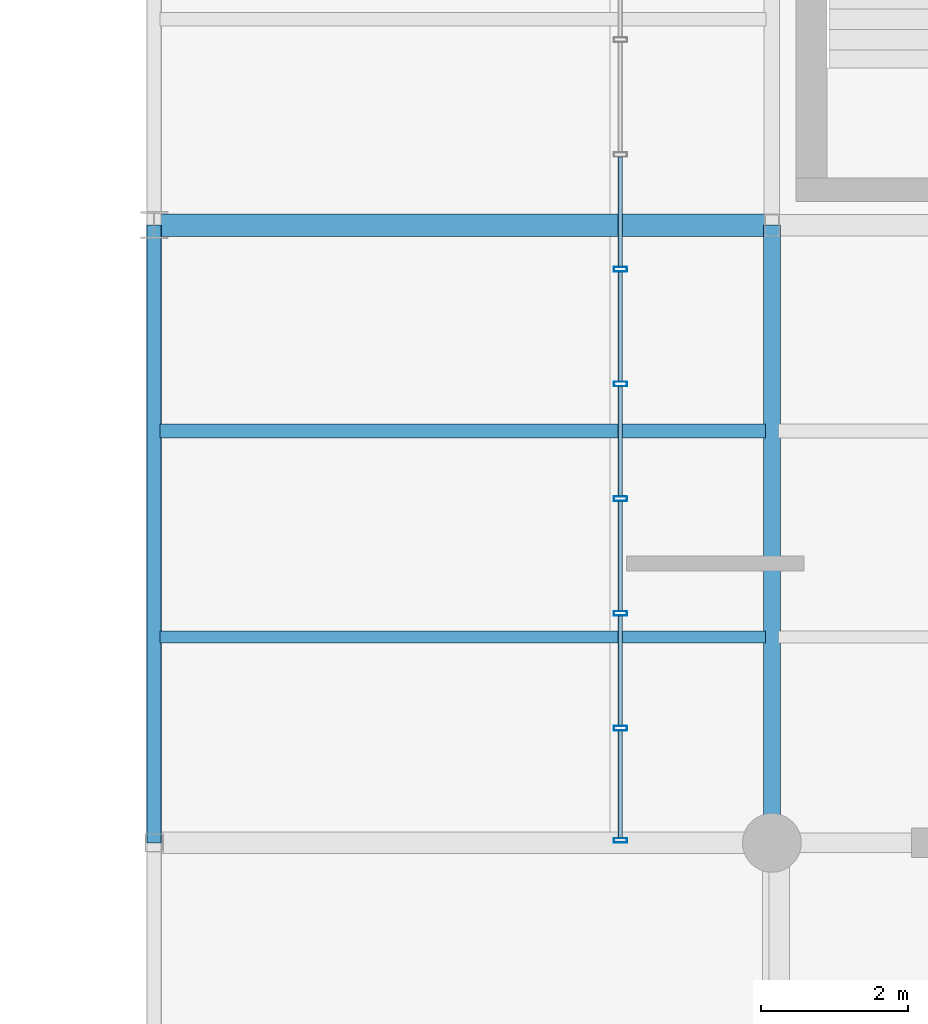
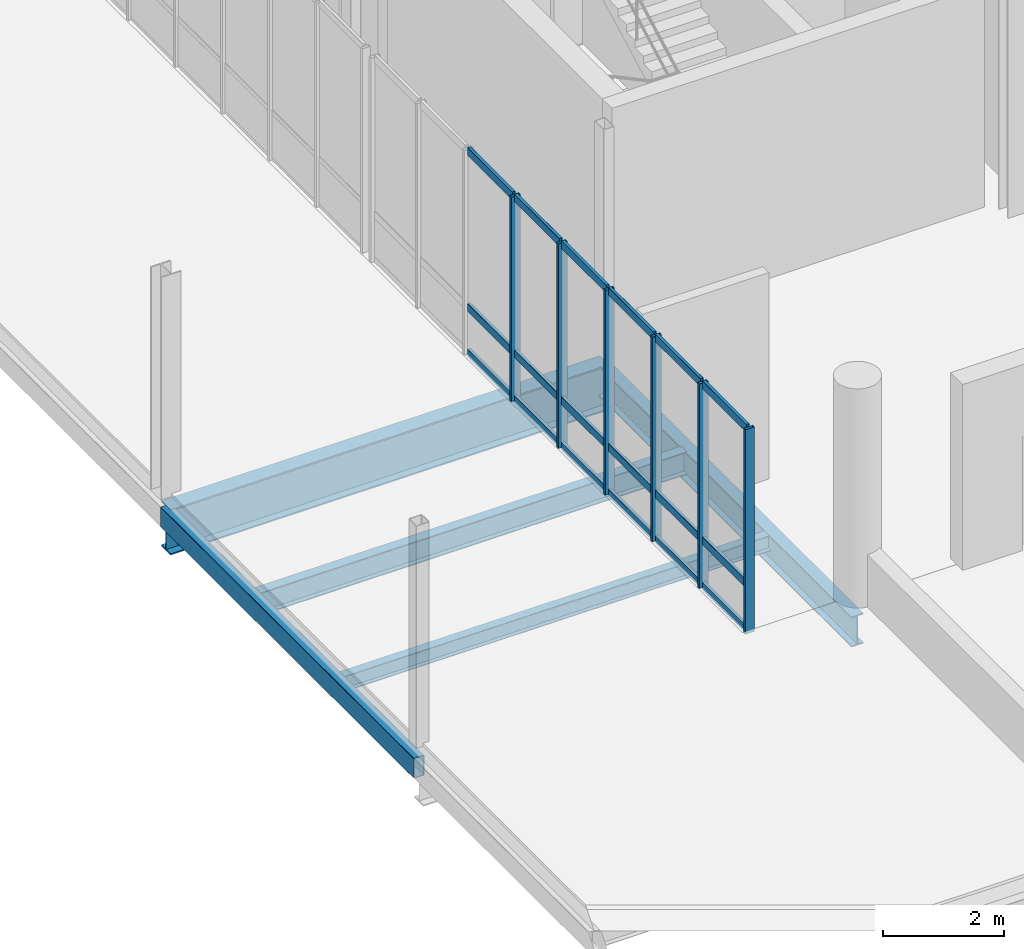
# One storey, part 37 of 68: 24 members, 5 beams, 1 element without a shape of its own.
"""IFC4 building model written with IfcOpenShell, lengths in metres."""

from ifc_helpers import new_model, si_unit, direction, frame, origin_with_axes, origin_2d_with_axis, place, context, subcontext, project, spatial, hollow_rectangle, i_section, extrude, material, material_profile, profile_set, type_object, element, aggregate, save


model = new_model("IFC4")

# Units and contexts
model_context = context("Model", 3, precision=1e-05, world=origin_with_axes(), true_north=direction((0.0, 1.0)))
body_context = subcontext(model_context, "Body", "Model", "MODEL_VIEW")
ifc_project = project(units=[si_unit("LENGTHUNIT", "METRE"), si_unit("AREAUNIT", "SQUARE_METRE"), si_unit("VOLUMEUNIT", "CUBIC_METRE"), si_unit("PLANEANGLEUNIT", "RADIAN"), si_unit("MASSUNIT", "GRAM", prefix="KILO"), si_unit("THERMODYNAMICTEMPERATUREUNIT", "KELVIN")], contexts=[model_context])

# Site, building, storey
site_placement = place(None, origin_with_axes())
site = spatial("IfcSite", under=ifc_project, at=site_placement, CompositionType="ELEMENT")
building_placement = place(site_placement, origin_with_axes())
building = spatial("IfcBuilding", under=site, at=building_placement, Name="Montbau Bow Law Courts", CompositionType="ELEMENT")
storey_placement = place(building_placement, frame((0.0, 0.0, 20.4), z_axis=(0.0, 0.0, 1.0), x_axis=(1.0, 0.0, 0.0)))
storey = spatial("IfcBuildingStorey", under=building, at=storey_placement, Name="L04", CompositionType="ELEMENT", Elevation=20.4)

# Beams
ifc_material_1 = material(Name="Steel CSA G40.21 Grade 350W (350 MPa)", Category="steel")
ifc_material_profile_1 = material_profile(ifc_material_1, i_section(OverallWidth=0.306, OverallDepth=0.919, WebThickness=0.0173, FlangeThickness=0.0279, at=origin_2d_with_axis()), Name="W920X253", Category="Main", Priority=0)
ifc_profile_set_1 = profile_set([ifc_material_profile_1], Name="Steel CSA G40.21 Grade 350W (350 MPa)")
beam_type_1 = type_object("IfcBeamType", Name="B-FLR-01", PredefinedType="BEAM", material=ifc_profile_set_1)
beam_1_placement = place(None, frame((138.6, 86.4, 19.651), z_axis=(1.0, 0.0, 0.0), x_axis=(0.0, 1.0, 0.0)))
element("IfcBeam", 1, at=beam_1_placement, inside=storey, type_object=beam_type_1, Name="BM-L04-S1253:bm2_1256", PredefinedType="BEAM", context=body_context, shape_type="SweptSolid", body=[
    extrude(i_section(OverallWidth=0.306, OverallDepth=0.919, WebThickness=0.0173, FlangeThickness=0.0279, at=origin_2d_with_axis()), origin_with_axes(), (0.0, 0.0, 1.0), 8.4),
])
ifc_material_profile_2 = material_profile(ifc_material_1, i_section(OverallWidth=0.229, OverallDepth=0.612, WebThickness=0.0119, FlangeThickness=0.0196, at=origin_2d_with_axis()), Name="W610X125", Category="Main", Priority=0)
ifc_profile_set_2 = profile_set([ifc_material_profile_2], Name="Steel CSA G40.21 Grade 350W (350 MPa)")
beam_type_2 = type_object("IfcBeamType", Name="B-FLR-05", PredefinedType="BEAM", material=ifc_profile_set_2)
beam_2_placement = place(None, frame((147.0, 78.0, 19.734), z_axis=(0.0, 1.0, 0.0), x_axis=(-1.0, 0.0, 0.0)))
element("IfcBeam", 2, at=beam_2_placement, inside=storey, type_object=beam_type_2, Name="BM-L04-S1270:bm2_1273", PredefinedType="BEAM", context=body_context, shape_type="SweptSolid", body=[
    extrude(i_section(OverallWidth=0.229, OverallDepth=0.612, WebThickness=0.0119, FlangeThickness=0.0196, at=origin_2d_with_axis()), origin_with_axes(), (0.0, 0.0, 1.0), 8.4),
])
ifc_material_profile_3 = material_profile(ifc_material_1, i_section(OverallWidth=0.191, OverallDepth=0.46, WebThickness=0.0099, FlangeThickness=0.016, at=origin_2d_with_axis()), Name="W460X82", Category="Main", Priority=0)
ifc_profile_set_3 = profile_set([ifc_material_profile_3], Name="Steel CSA G40.21 Grade 350W (350 MPa)")
beam_type_3 = type_object("IfcBeamType", Name="B-JST-01", PredefinedType="JOIST", material=ifc_profile_set_3)
beam_3_placement = place(None, frame((138.68, 83.6, 19.81), z_axis=(1.0, 0.0, 0.0), x_axis=(0.0, 1.0, 0.0)))
element("IfcBeam", 3, at=beam_3_placement, inside=storey, type_object=beam_type_3, Name="JST-L04-S0668:jst2_0668", PredefinedType="JOIST", context=body_context, shape_type="SweptSolid", body=[
    extrude(i_section(OverallWidth=0.191, OverallDepth=0.46, WebThickness=0.0099, FlangeThickness=0.016, at=origin_2d_with_axis()), origin_with_axes(), (0.0, 0.0, 1.0), 8.23),
])
ifc_material_profile_4 = material_profile(ifc_material_1, i_section(OverallWidth=0.166, OverallDepth=0.313, WebThickness=0.0066, FlangeThickness=0.0112, at=origin_2d_with_axis()), Name="W310X45", Category="Main", Priority=0)
ifc_profile_set_4 = profile_set([ifc_material_profile_4], Name="Steel CSA G40.21 Grade 350W (350 MPa)")
beam_type_4 = type_object("IfcBeamType", Name="B-JST-04", PredefinedType="JOIST", material=ifc_profile_set_4)
beam_4_placement = place(None, frame((138.68, 80.8, 19.883), z_axis=(1.0, 0.0, 0.0), x_axis=(0.0, 1.0, 0.0)))
element("IfcBeam", 4, at=beam_4_placement, inside=storey, type_object=beam_type_4, Name="JST-L04-S0667:jst2_0667", PredefinedType="JOIST", context=body_context, shape_type="SweptSolid", body=[
    extrude(i_section(OverallWidth=0.166, OverallDepth=0.313, WebThickness=0.0066, FlangeThickness=0.0112, at=origin_2d_with_axis()), origin_with_axes(), (0.0, 0.0, 1.0), 8.23),
])
ifc_material_2 = material(Name="Steel CSA G40.21 Grade 350WT (350 MPa)", Category="steel")
ifc_material_profile_5 = material_profile(ifc_material_2, hollow_rectangle(XDim=0.203, YDim=0.406, WallThickness=0.0127, InnerFilletRadius=0.0254, OuterFilletRadius=0.0127, at=origin_2d_with_axis()), Name="HSS406X203X13", Category="Main", Priority=0)
ifc_profile_set_5 = profile_set([ifc_material_profile_5], Name="Steel CSA G40.21 Grade 350WT (350 MPa)")
beam_type_5 = type_object("IfcBeamType", Name="B-SPN-01", PredefinedType="SPANDREL", material=ifc_profile_set_5)
beam_5_placement = place(None, frame((138.6, 78.0, 19.907), z_axis=(0.0, 1.0, 0.0), x_axis=(-1.0, 0.0, 0.0)))
element("IfcBeam", 5, at=beam_5_placement, inside=storey, type_object=beam_type_5, Name="SPN-L04-S1266:bm2_1269", PredefinedType="SPANDREL", context=body_context, shape_type="SweptSolid", body=[
    extrude(hollow_rectangle(XDim=0.203, YDim=0.406, WallThickness=0.0127, InnerFilletRadius=0.0254, OuterFilletRadius=0.0127, at=origin_2d_with_axis()), origin_with_axes(), (0.0, 0.0, 1.0), 8.4),
])

# Curtain wall, members
ifc_material_3 = material(Name="Thermally Broken Extruded Aluminium AA 6063-T6", Category="aluminium")
curtain_wall_type = type_object("IfcCurtainWallType", Name="CW-NCK-01", PredefinedType="NOTDEFINED", material=ifc_material_3)
curtain_wall_placement = place(None, frame((144.94, 78.0, 20.4), z_axis=(0.0, 0.0, 1.0), x_axis=(1.0, 0.0, 0.0)))
curtain_wall = element("IfcCurtainWall", 6, at=curtain_wall_placement, inside=storey, type_object=curtain_wall_type, Name="CW-L04-328:cw_0328", PredefinedType="NOTDEFINED")
ifc_material_profile_6 = material_profile(ifc_material_3, hollow_rectangle(XDim=0.065, YDim=0.18, WallThickness=0.005, InnerFilletRadius=0.01, OuterFilletRadius=0.005, at=origin_2d_with_axis()), Name="CWM-180X65", Category="Main", Priority=0)
ifc_profile_set_6 = profile_set([ifc_material_profile_6], Name="Thermally Broken Extruded Aluminium AA 6063-T6")
member_type_1 = type_object("IfcMemberType", Name="M-MUL-02", PredefinedType="MULLION", material=ifc_profile_set_6)
member_1_placement = place(None, frame((144.94, 78.033, 20.4), z_axis=(0.0, 0.0, 1.0), x_axis=(0.0, 1.0, 0.0)))
member_1 = element("IfcMember", 7, at=member_1_placement, type_object=member_type_1, Name="CW-L04-328-M01:cw_0328_M01", PredefinedType="MULLION", context=body_context, shape_type="SweptSolid", body=[
    extrude(hollow_rectangle(XDim=0.065, YDim=0.18, WallThickness=0.005, InnerFilletRadius=0.01, OuterFilletRadius=0.005, at=origin_2d_with_axis()), origin_with_axes(), (0.0, 0.0, 1.0), 4.14),
])
member_2_placement = place(None, frame((144.94, 79.56, 20.4), z_axis=(0.0, 0.0, 1.0), x_axis=(0.0, 1.0, 0.0)))
member_2 = element("IfcMember", 8, at=member_2_placement, type_object=member_type_1, Name="CW-L04-328-M02:cw_0328_M02", PredefinedType="MULLION", context=body_context, shape_type="SweptSolid", body=[
    extrude(hollow_rectangle(XDim=0.065, YDim=0.18, WallThickness=0.005, InnerFilletRadius=0.01, OuterFilletRadius=0.005, at=origin_2d_with_axis()), origin_with_axes(), (0.0, 0.0, 1.0), 4.14),
])
member_3_placement = place(None, frame((144.94, 81.12, 20.4), z_axis=(0.0, 0.0, 1.0), x_axis=(0.0, 1.0, 0.0)))
member_3 = element("IfcMember", 9, at=member_3_placement, type_object=member_type_1, Name="CW-L04-328-M03:cw_0328_M03", PredefinedType="MULLION", context=body_context, shape_type="SweptSolid", body=[
    extrude(hollow_rectangle(XDim=0.065, YDim=0.18, WallThickness=0.005, InnerFilletRadius=0.01, OuterFilletRadius=0.005, at=origin_2d_with_axis()), origin_with_axes(), (0.0, 0.0, 1.0), 4.14),
])
member_4_placement = place(None, frame((144.94, 82.68, 20.4), z_axis=(0.0, 0.0, 1.0), x_axis=(0.0, 1.0, 0.0)))
member_4 = element("IfcMember", 10, at=member_4_placement, type_object=member_type_1, Name="CW-L04-328-M04:cw_0328_M04", PredefinedType="MULLION", context=body_context, shape_type="SweptSolid", body=[
    extrude(hollow_rectangle(XDim=0.065, YDim=0.18, WallThickness=0.005, InnerFilletRadius=0.01, OuterFilletRadius=0.005, at=origin_2d_with_axis()), origin_with_axes(), (0.0, 0.0, 1.0), 4.14),
])
member_5_placement = place(None, frame((144.94, 84.24, 20.4), z_axis=(0.0, 0.0, 1.0), x_axis=(0.0, 1.0, 0.0)))
member_5 = element("IfcMember", 11, at=member_5_placement, type_object=member_type_1, Name="CW-L04-328-M05:cw_0328_M05", PredefinedType="MULLION", context=body_context, shape_type="SweptSolid", body=[
    extrude(hollow_rectangle(XDim=0.065, YDim=0.18, WallThickness=0.005, InnerFilletRadius=0.01, OuterFilletRadius=0.005, at=origin_2d_with_axis()), origin_with_axes(), (0.0, 0.0, 1.0), 4.14),
])
member_6_placement = place(None, frame((144.94, 85.8, 20.4), z_axis=(0.0, 0.0, 1.0), x_axis=(0.0, 1.0, 0.0)))
member_6 = element("IfcMember", 12, at=member_6_placement, type_object=member_type_1, Name="CW-L04-328-M06:cw_0328_M06", PredefinedType="MULLION", context=body_context, shape_type="SweptSolid", body=[
    extrude(hollow_rectangle(XDim=0.065, YDim=0.18, WallThickness=0.005, InnerFilletRadius=0.01, OuterFilletRadius=0.005, at=origin_2d_with_axis()), origin_with_axes(), (0.0, 0.0, 1.0), 4.14),
])
ifc_material_profile_7 = material_profile(ifc_material_3, hollow_rectangle(XDim=0.06, YDim=0.16, WallThickness=0.004, InnerFilletRadius=0.008, OuterFilletRadius=0.004, at=origin_2d_with_axis()), Name="CWT-160X60", Category="Main", Priority=0)
ifc_profile_set_7 = profile_set([ifc_material_profile_7], Name="Thermally Broken Extruded Aluminium AA 6063-T6")
member_type_2 = type_object("IfcMemberType", Name="M-TRN-01", PredefinedType="USERDEFINED", material=ifc_profile_set_7)
member_7_placement = place(None, frame((144.94, 78.068, 20.43), z_axis=(0.0, 1.0, 0.0), x_axis=(-1.0, 0.0, 0.0)))
member_7 = element("IfcMember", 13, at=member_7_placement, type_object=member_type_2, Name="CW-L04-328-T01-1:cw_0328_T01_1", ObjectType="TRANSOM", PredefinedType="USERDEFINED", context=body_context, shape_type="SweptSolid", body=[
    extrude(hollow_rectangle(XDim=0.06, YDim=0.16, WallThickness=0.004, InnerFilletRadius=0.008, OuterFilletRadius=0.004, at=origin_2d_with_axis()), origin_with_axes(), (0.0, 0.0, 1.0), 1.458),
])
member_8_placement = place(None, frame((144.94, 78.068, 21.35), z_axis=(0.0, 1.0, 0.0), x_axis=(-1.0, 0.0, 0.0)))
member_8 = element("IfcMember", 14, at=member_8_placement, type_object=member_type_2, Name="CW-L04-328-T01-2:cw_0328_T01_2", ObjectType="TRANSOM", PredefinedType="USERDEFINED", context=body_context, shape_type="SweptSolid", body=[
    extrude(hollow_rectangle(XDim=0.06, YDim=0.16, WallThickness=0.004, InnerFilletRadius=0.008, OuterFilletRadius=0.004, at=origin_2d_with_axis()), origin_with_axes(), (0.0, 0.0, 1.0), 1.458),
])
member_9_placement = place(None, frame((144.94, 78.068, 24.51), z_axis=(0.0, 1.0, 0.0), x_axis=(-1.0, 0.0, 0.0)))
member_9 = element("IfcMember", 15, at=member_9_placement, type_object=member_type_2, Name="CW-L04-328-T01-3:cw_0328_T01_3", ObjectType="TRANSOM", PredefinedType="USERDEFINED", context=body_context, shape_type="SweptSolid", body=[
    extrude(hollow_rectangle(XDim=0.06, YDim=0.16, WallThickness=0.004, InnerFilletRadius=0.008, OuterFilletRadius=0.004, at=origin_2d_with_axis()), origin_with_axes(), (0.0, 0.0, 1.0), 1.458),
])
member_10_placement = place(None, frame((144.94, 79.595, 20.43), z_axis=(0.0, 1.0, 0.0), x_axis=(-1.0, 0.0, 0.0)))
member_10 = element("IfcMember", 16, at=member_10_placement, type_object=member_type_2, Name="CW-L04-328-T02-1:cw_0328_T02_1", ObjectType="TRANSOM", PredefinedType="USERDEFINED", context=body_context, shape_type="SweptSolid", body=[
    extrude(hollow_rectangle(XDim=0.06, YDim=0.16, WallThickness=0.004, InnerFilletRadius=0.008, OuterFilletRadius=0.004, at=origin_2d_with_axis()), origin_with_axes(), (0.0, 0.0, 1.0), 1.491),
])
member_11_placement = place(None, frame((144.94, 79.595, 21.35), z_axis=(0.0, 1.0, 0.0), x_axis=(-1.0, 0.0, 0.0)))
member_11 = element("IfcMember", 17, at=member_11_placement, type_object=member_type_2, Name="CW-L04-328-T02-2:cw_0328_T02_2", ObjectType="TRANSOM", PredefinedType="USERDEFINED", context=body_context, shape_type="SweptSolid", body=[
    extrude(hollow_rectangle(XDim=0.06, YDim=0.16, WallThickness=0.004, InnerFilletRadius=0.008, OuterFilletRadius=0.004, at=origin_2d_with_axis()), origin_with_axes(), (0.0, 0.0, 1.0), 1.491),
])
member_12_placement = place(None, frame((144.94, 79.595, 24.51), z_axis=(0.0, 1.0, 0.0), x_axis=(-1.0, 0.0, 0.0)))
member_12 = element("IfcMember", 18, at=member_12_placement, type_object=member_type_2, Name="CW-L04-328-T02-3:cw_0328_T02_3", ObjectType="TRANSOM", PredefinedType="USERDEFINED", context=body_context, shape_type="SweptSolid", body=[
    extrude(hollow_rectangle(XDim=0.06, YDim=0.16, WallThickness=0.004, InnerFilletRadius=0.008, OuterFilletRadius=0.004, at=origin_2d_with_axis()), origin_with_axes(), (0.0, 0.0, 1.0), 1.491),
])
member_13_placement = place(None, frame((144.94, 81.155, 20.43), z_axis=(0.0, 1.0, 0.0), x_axis=(-1.0, 0.0, 0.0)))
member_13 = element("IfcMember", 19, at=member_13_placement, type_object=member_type_2, Name="CW-L04-328-T03-1:cw_0328_T03_1", ObjectType="TRANSOM", PredefinedType="USERDEFINED", context=body_context, shape_type="SweptSolid", body=[
    extrude(hollow_rectangle(XDim=0.06, YDim=0.16, WallThickness=0.004, InnerFilletRadius=0.008, OuterFilletRadius=0.004, at=origin_2d_with_axis()), origin_with_axes(), (0.0, 0.0, 1.0), 1.491),
])
member_14_placement = place(None, frame((144.94, 81.155, 21.35), z_axis=(0.0, 1.0, 0.0), x_axis=(-1.0, 0.0, 0.0)))
member_14 = element("IfcMember", 20, at=member_14_placement, type_object=member_type_2, Name="CW-L04-328-T03-2:cw_0328_T03_2", ObjectType="TRANSOM", PredefinedType="USERDEFINED", context=body_context, shape_type="SweptSolid", body=[
    extrude(hollow_rectangle(XDim=0.06, YDim=0.16, WallThickness=0.004, InnerFilletRadius=0.008, OuterFilletRadius=0.004, at=origin_2d_with_axis()), origin_with_axes(), (0.0, 0.0, 1.0), 1.491),
])
member_15_placement = place(None, frame((144.94, 81.155, 24.51), z_axis=(0.0, 1.0, 0.0), x_axis=(-1.0, 0.0, 0.0)))
member_15 = element("IfcMember", 21, at=member_15_placement, type_object=member_type_2, Name="CW-L04-328-T03-3:cw_0328_T03_3", ObjectType="TRANSOM", PredefinedType="USERDEFINED", context=body_context, shape_type="SweptSolid", body=[
    extrude(hollow_rectangle(XDim=0.06, YDim=0.16, WallThickness=0.004, InnerFilletRadius=0.008, OuterFilletRadius=0.004, at=origin_2d_with_axis()), origin_with_axes(), (0.0, 0.0, 1.0), 1.491),
])
member_16_placement = place(None, frame((144.94, 82.714, 20.43), z_axis=(0.0, 1.0, 0.0), x_axis=(-1.0, 0.0, 0.0)))
member_16 = element("IfcMember", 22, at=member_16_placement, type_object=member_type_2, Name="CW-L04-328-T04-1:cw_0328_T04_1", ObjectType="TRANSOM", PredefinedType="USERDEFINED", context=body_context, shape_type="SweptSolid", body=[
    extrude(hollow_rectangle(XDim=0.06, YDim=0.16, WallThickness=0.004, InnerFilletRadius=0.008, OuterFilletRadius=0.004, at=origin_2d_with_axis()), origin_with_axes(), (0.0, 0.0, 1.0), 1.492),
])
member_17_placement = place(None, frame((144.94, 82.714, 21.35), z_axis=(0.0, 1.0, 0.0), x_axis=(-1.0, 0.0, 0.0)))
member_17 = element("IfcMember", 23, at=member_17_placement, type_object=member_type_2, Name="CW-L04-328-T04-2:cw_0328_T04_2", ObjectType="TRANSOM", PredefinedType="USERDEFINED", context=body_context, shape_type="SweptSolid", body=[
    extrude(hollow_rectangle(XDim=0.06, YDim=0.16, WallThickness=0.004, InnerFilletRadius=0.008, OuterFilletRadius=0.004, at=origin_2d_with_axis()), origin_with_axes(), (0.0, 0.0, 1.0), 1.492),
])
member_18_placement = place(None, frame((144.94, 82.714, 24.51), z_axis=(0.0, 1.0, 0.0), x_axis=(-1.0, 0.0, 0.0)))
member_18 = element("IfcMember", 24, at=member_18_placement, type_object=member_type_2, Name="CW-L04-328-T04-3:cw_0328_T04_3", ObjectType="TRANSOM", PredefinedType="USERDEFINED", context=body_context, shape_type="SweptSolid", body=[
    extrude(hollow_rectangle(XDim=0.06, YDim=0.16, WallThickness=0.004, InnerFilletRadius=0.008, OuterFilletRadius=0.004, at=origin_2d_with_axis()), origin_with_axes(), (0.0, 0.0, 1.0), 1.492),
])
member_19_placement = place(None, frame((144.94, 84.274, 20.43), z_axis=(0.0, 1.0, 0.0), x_axis=(-1.0, 0.0, 0.0)))
member_19 = element("IfcMember", 25, at=member_19_placement, type_object=member_type_2, Name="CW-L04-328-T05-1:cw_0328_T05_1", ObjectType="TRANSOM", PredefinedType="USERDEFINED", context=body_context, shape_type="SweptSolid", body=[
    extrude(hollow_rectangle(XDim=0.06, YDim=0.16, WallThickness=0.004, InnerFilletRadius=0.008, OuterFilletRadius=0.004, at=origin_2d_with_axis()), origin_with_axes(), (0.0, 0.0, 1.0), 1.492),
])
member_20_placement = place(None, frame((144.94, 84.274, 21.35), z_axis=(0.0, 1.0, 0.0), x_axis=(-1.0, 0.0, 0.0)))
member_20 = element("IfcMember", 26, at=member_20_placement, type_object=member_type_2, Name="CW-L04-328-T05-2:cw_0328_T05_2", ObjectType="TRANSOM", PredefinedType="USERDEFINED", context=body_context, shape_type="SweptSolid", body=[
    extrude(hollow_rectangle(XDim=0.06, YDim=0.16, WallThickness=0.004, InnerFilletRadius=0.008, OuterFilletRadius=0.004, at=origin_2d_with_axis()), origin_with_axes(), (0.0, 0.0, 1.0), 1.492),
])
member_21_placement = place(None, frame((144.94, 84.274, 24.51), z_axis=(0.0, 1.0, 0.0), x_axis=(-1.0, 0.0, 0.0)))
member_21 = element("IfcMember", 27, at=member_21_placement, type_object=member_type_2, Name="CW-L04-328-T05-3:cw_0328_T05_3", ObjectType="TRANSOM", PredefinedType="USERDEFINED", context=body_context, shape_type="SweptSolid", body=[
    extrude(hollow_rectangle(XDim=0.06, YDim=0.16, WallThickness=0.004, InnerFilletRadius=0.008, OuterFilletRadius=0.004, at=origin_2d_with_axis()), origin_with_axes(), (0.0, 0.0, 1.0), 1.492),
])
member_22_placement = place(None, frame((144.94, 85.834, 20.43), z_axis=(0.0, 1.0, 0.0), x_axis=(-1.0, 0.0, 0.0)))
member_22 = element("IfcMember", 28, at=member_22_placement, type_object=member_type_2, Name="CW-L04-328-T06-1:cw_0328_T06_1", ObjectType="TRANSOM", PredefinedType="USERDEFINED", context=body_context, shape_type="SweptSolid", body=[
    extrude(hollow_rectangle(XDim=0.06, YDim=0.16, WallThickness=0.004, InnerFilletRadius=0.008, OuterFilletRadius=0.004, at=origin_2d_with_axis()), origin_with_axes(), (0.0, 0.0, 1.0), 1.491),
])
member_23_placement = place(None, frame((144.94, 85.834, 21.35), z_axis=(0.0, 1.0, 0.0), x_axis=(-1.0, 0.0, 0.0)))
member_23 = element("IfcMember", 29, at=member_23_placement, type_object=member_type_2, Name="CW-L04-328-T06-2:cw_0328_T06_2", ObjectType="TRANSOM", PredefinedType="USERDEFINED", context=body_context, shape_type="SweptSolid", body=[
    extrude(hollow_rectangle(XDim=0.06, YDim=0.16, WallThickness=0.004, InnerFilletRadius=0.008, OuterFilletRadius=0.004, at=origin_2d_with_axis()), origin_with_axes(), (0.0, 0.0, 1.0), 1.491),
])
member_24_placement = place(None, frame((144.94, 85.834, 24.51), z_axis=(0.0, 1.0, 0.0), x_axis=(-1.0, 0.0, 0.0)))
member_24 = element("IfcMember", 30, at=member_24_placement, type_object=member_type_2, Name="CW-L04-328-T06-3:cw_0328_T06_3", ObjectType="TRANSOM", PredefinedType="USERDEFINED", context=body_context, shape_type="SweptSolid", body=[
    extrude(hollow_rectangle(XDim=0.06, YDim=0.16, WallThickness=0.004, InnerFilletRadius=0.008, OuterFilletRadius=0.004, at=origin_2d_with_axis()), origin_with_axes(), (0.0, 0.0, 1.0), 1.491),
])
aggregate(curtain_wall, [member_1, member_2, member_3, member_4, member_5, member_6, member_7, member_8, member_9, member_10, member_11, member_12, member_13, member_14, member_15, member_16, member_17, member_18, member_19, member_20, member_21, member_22, member_23, member_24])

save(model, "model.ifc")
